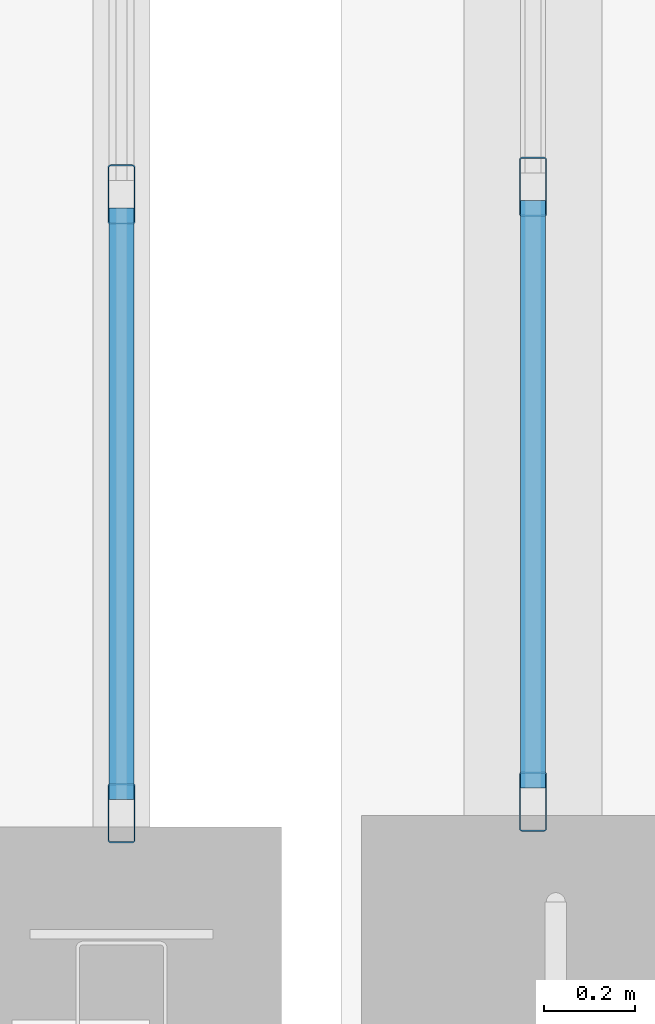
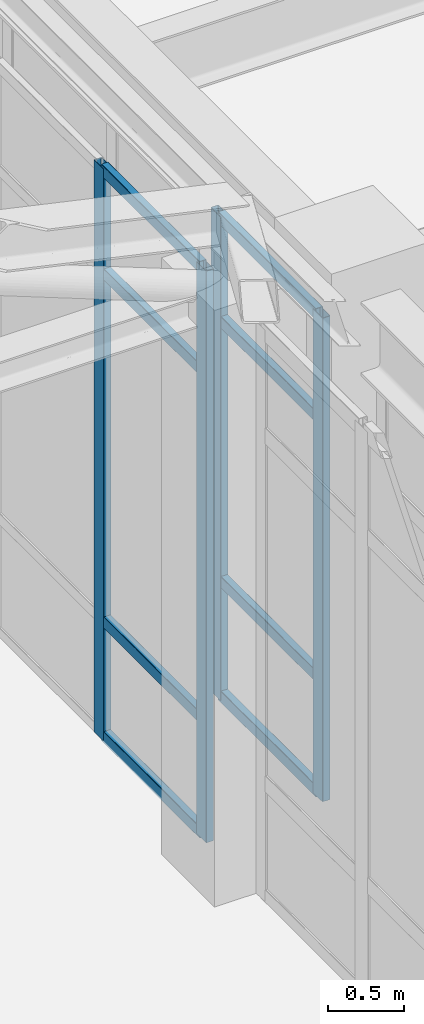
# One storey, part 47 of 139: 12 members, 2 elements without a shape of their own.
"""IFC4 building model written with IfcOpenShell, lengths in metres."""

from ifc_helpers import new_model, si_unit, direction, frame, origin, origin_2d, place, context, subcontext, project, spatial, hollow_rectangle, extrude, material, material_profile, profile_set, type_object, element, aggregate, save


model = new_model("IFC4")

# Units and contexts
model_context = context("Model", 3, precision=1e-05, world=origin(), true_north=direction((0.0, 1.0)))
body_context = subcontext(model_context, "Body", "Model", "MODEL_VIEW")
ifc_project = project(units=[si_unit("LENGTHUNIT", "METRE"), si_unit("AREAUNIT", "SQUARE_METRE"), si_unit("VOLUMEUNIT", "CUBIC_METRE"), si_unit("PLANEANGLEUNIT", "RADIAN"), si_unit("MASSUNIT", "GRAM", prefix="KILO")], contexts=[model_context])

# Site, building, storey
site_placement = place(None, origin())
site = spatial("IfcSite", under=ifc_project, at=site_placement, CompositionType="ELEMENT")
building_placement = place(site_placement, origin())
building = spatial("IfcBuilding", under=site, at=building_placement, Name="Canglan Escarpment Cableway Terminal", CompositionType="ELEMENT")
storey_placement = place(building_placement, frame((0.0, 0.0, 14.39990234375)))
storey = spatial("IfcBuildingStorey", under=building, at=storey_placement, Name="L03", CompositionType="ELEMENT", Elevation=14.39990234375)

# Curtain wall, members
ifc_material_1 = material(Name="Anodized bronze aluminium and Low-E double glazing", Category="aluminium")
curtain_wall_type_1 = type_object("IfcCurtainWallType", Name="CW-BAY-8300x4600", PredefinedType="NOTDEFINED", material=ifc_material_1)
curtain_wall_1_placement = place(storey_placement, origin())
curtain_wall_1 = element("IfcCurtainWall", 1, at=curtain_wall_1_placement, inside=storey, type_object=curtain_wall_type_1, Name="Classical bay-between-piers glazed curtain wall CW-45", PredefinedType="NOTDEFINED")
ifc_material_2 = material(Name="Thermally broken anodized aluminium 6063-T6", Category="aluminium")
ifc_material_profile_1 = material_profile(ifc_material_2, hollow_rectangle(XDim=0.06005859375, YDim=0.1298828125, WallThickness=0.0029296875, InnerFilletRadius=0.0029296875, OuterFilletRadius=0.006103515625, at=origin_2d()), Name="ALU-MULL 60x130x3")
ifc_profile_set_1 = profile_set([ifc_material_profile_1], Name="Thermally broken anodized aluminium 6063-T6")
member_type_1 = type_object("IfcMemberType", Name="CWM-01", PredefinedType="MULLION", material=ifc_profile_set_1)
member_1_placement = place(storey_placement, frame((136.699951171875, 61.3798828125, 0.0), z_axis=(0.0, 0.0, 1.0), x_axis=(-1.0, 0.0, 0.0)))
member_1 = element("IfcMember", 2, at=member_1_placement, type_object=member_type_1, Name="CW-45 mullion 1", PredefinedType="MULLION", context=body_context, shape_type="SweptSolid", body=[
    extrude(hollow_rectangle(XDim=0.06005859375, YDim=0.1298828125, WallThickness=0.0029296875, InnerFilletRadius=0.0029296875, OuterFilletRadius=0.006103515625, at=origin_2d()), origin(), (0.0, 0.0, 1.0), 4.60009765625),
])
member_2_placement = place(storey_placement, frame((136.699951171875, 62.7333984375, 0.0), z_axis=(0.0, 0.0, 1.0), x_axis=(-1.0, 0.0, 0.0)))
member_2 = element("IfcMember", 3, at=member_2_placement, type_object=member_type_1, Name="CW-45 mullion 2", PredefinedType="MULLION", context=body_context, shape_type="SweptSolid", body=[
    extrude(hollow_rectangle(XDim=0.06005859375, YDim=0.1298828125, WallThickness=0.0029296875, InnerFilletRadius=0.0029296875, OuterFilletRadius=0.006103515625, at=origin_2d()), origin(), (0.0, 0.0, 1.0), 4.60009765625),
])

curtain_wall_type_2 = type_object("IfcCurtainWallType", Name="CW-BAY-8250x3900", PredefinedType="NOTDEFINED", material=ifc_material_1)
curtain_wall_2_placement = place(storey_placement, origin())
curtain_wall_2 = element("IfcCurtainWall", 4, at=curtain_wall_2_placement, inside=storey, type_object=curtain_wall_type_2, Name="Classical bay-between-piers glazed curtain wall CW-62", PredefinedType="NOTDEFINED")
member_3_placement = place(storey_placement, frame((137.60009765625, 62.75, 0.0), z_axis=(0.0, 0.0, 1.0), x_axis=(1.0, 0.0, 0.0)))
member_3 = element("IfcMember", 5, at=member_3_placement, type_object=member_type_1, Name="CW-62 mullion 6", PredefinedType="MULLION", context=body_context, shape_type="SweptSolid", body=[
    extrude(hollow_rectangle(XDim=0.06005859375, YDim=0.1298828125, WallThickness=0.0029296875, InnerFilletRadius=0.0029296875, OuterFilletRadius=0.006103515625, at=origin_2d()), origin(), (0.0, 0.0, 1.0), 3.89111328125),
])
member_4_placement = place(storey_placement, frame((137.60009765625, 61.405029296875, 0.0), z_axis=(0.0, 0.0, 1.0), x_axis=(1.0, 0.0, 0.0)))
member_4 = element("IfcMember", 6, at=member_4_placement, type_object=member_type_1, Name="CW-62 mullion 7", PredefinedType="MULLION", context=body_context, shape_type="SweptSolid", body=[
    extrude(hollow_rectangle(XDim=0.06005859375, YDim=0.1298828125, WallThickness=0.0029296875, InnerFilletRadius=0.0029296875, OuterFilletRadius=0.006103515625, at=origin_2d()), origin(), (0.0, 0.0, 1.0), 3.89111328125),
])

# Member
ifc_material_profile_2 = material_profile(ifc_material_2, hollow_rectangle(XDim=0.054931640625, YDim=0.094970703125, WallThickness=0.0029296875, InnerFilletRadius=0.0029296875, OuterFilletRadius=0.006103515625, at=origin_2d()), Name="ALU-TRAN 55x95x3")
ifc_profile_set_2 = profile_set([ifc_material_profile_2], Name="Thermally broken anodized aluminium 6063-T6")
member_type_2 = type_object("IfcMemberType", Name="CWT-01", PredefinedType="USERDEFINED", material=ifc_profile_set_2)
member_5_placement = place(storey_placement, frame((136.699951171875, 61.409912109375, 0.027587890625), z_axis=(0.0, 1.0, 0.0), x_axis=(-1.0, 0.0, 0.0)))
member_5 = element("IfcMember", 7, at=member_5_placement, type_object=member_type_2, Name="CW-45 transom 1.1", ObjectType="TRANSOM", PredefinedType="USERDEFINED", context=body_context, shape_type="SweptSolid", body=[
    extrude(hollow_rectangle(XDim=0.054931640625, YDim=0.094970703125, WallThickness=0.0029296875, InnerFilletRadius=0.0029296875, OuterFilletRadius=0.006103515625, at=origin_2d()), origin(), (0.0, 0.0, 1.0), 1.29345703125),
])

member_6_placement = place(storey_placement, frame((136.699951171875, 61.409912109375, 0.9501953125), z_axis=(0.0, 1.0, 0.0), x_axis=(-1.0, 0.0, 0.0)))
member_6 = element("IfcMember", 8, at=member_6_placement, type_object=member_type_2, Name="CW-45 transom 1.2", ObjectType="TRANSOM", PredefinedType="USERDEFINED", context=body_context, shape_type="SweptSolid", body=[
    extrude(hollow_rectangle(XDim=0.054931640625, YDim=0.094970703125, WallThickness=0.0029296875, InnerFilletRadius=0.0029296875, OuterFilletRadius=0.006103515625, at=origin_2d()), origin(), (0.0, 0.0, 1.0), 1.29345703125),
])

member_7_placement = place(storey_placement, frame((136.699951171875, 61.409912109375, 3.75), z_axis=(0.0, 1.0, 0.0), x_axis=(-1.0, 0.0, 0.0)))
member_7 = element("IfcMember", 9, at=member_7_placement, type_object=member_type_2, Name="CW-45 transom 1.3", ObjectType="TRANSOM", PredefinedType="USERDEFINED", context=body_context, shape_type="SweptSolid", body=[
    extrude(hollow_rectangle(XDim=0.054931640625, YDim=0.094970703125, WallThickness=0.0029296875, InnerFilletRadius=0.0029296875, OuterFilletRadius=0.006103515625, at=origin_2d()), origin(), (0.0, 0.0, 1.0), 1.29345703125),
])

member_8_placement = place(storey_placement, frame((136.699951171875, 61.409912109375, 4.572509765625), z_axis=(0.0, 1.0, 0.0), x_axis=(-1.0, 0.0, 0.0)))
member_8 = element("IfcMember", 10, at=member_8_placement, type_object=member_type_2, Name="CW-45 transom 1.4", ObjectType="TRANSOM", PredefinedType="USERDEFINED", context=body_context, shape_type="SweptSolid", body=[
    extrude(hollow_rectangle(XDim=0.054931640625, YDim=0.094970703125, WallThickness=0.0029296875, InnerFilletRadius=0.0029296875, OuterFilletRadius=0.006103515625, at=origin_2d()), origin(), (0.0, 0.0, 1.0), 1.29345703125),
])

aggregate(curtain_wall_1, [member_1, member_2, member_5, member_6, member_7, member_8])

member_9_placement = place(storey_placement, frame((137.60009765625, 62.719970703125, 0.027587890625), z_axis=(0.0, -1.0, 0.0), x_axis=(1.0, 0.0, 0.0)))
member_9 = element("IfcMember", 11, at=member_9_placement, type_object=member_type_2, Name="CW-62 transom 6.1", ObjectType="TRANSOM", PredefinedType="USERDEFINED", context=body_context, shape_type="SweptSolid", body=[
    extrude(hollow_rectangle(XDim=0.054931640625, YDim=0.094970703125, WallThickness=0.0029296875, InnerFilletRadius=0.0029296875, OuterFilletRadius=0.006103515625, at=origin_2d()), origin(), (0.0, 0.0, 1.0), 1.284912109375),
])

member_10_placement = place(storey_placement, frame((137.60009765625, 62.719970703125, 0.9501953125), z_axis=(0.0, -1.0, 0.0), x_axis=(1.0, 0.0, 0.0)))
member_10 = element("IfcMember", 12, at=member_10_placement, type_object=member_type_2, Name="CW-62 transom 6.2", ObjectType="TRANSOM", PredefinedType="USERDEFINED", context=body_context, shape_type="SweptSolid", body=[
    extrude(hollow_rectangle(XDim=0.054931640625, YDim=0.094970703125, WallThickness=0.0029296875, InnerFilletRadius=0.0029296875, OuterFilletRadius=0.006103515625, at=origin_2d()), origin(), (0.0, 0.0, 1.0), 1.284912109375),
])

member_11_placement = place(storey_placement, frame((137.60009765625, 62.719970703125, 3.041015625), z_axis=(0.0, -1.0, 0.0), x_axis=(1.0, 0.0, 0.0)))
member_11 = element("IfcMember", 13, at=member_11_placement, type_object=member_type_2, Name="CW-62 transom 6.3", ObjectType="TRANSOM", PredefinedType="USERDEFINED", context=body_context, shape_type="SweptSolid", body=[
    extrude(hollow_rectangle(XDim=0.054931640625, YDim=0.094970703125, WallThickness=0.0029296875, InnerFilletRadius=0.0029296875, OuterFilletRadius=0.006103515625, at=origin_2d()), origin(), (0.0, 0.0, 1.0), 1.284912109375),
])

member_12_placement = place(storey_placement, frame((137.60009765625, 62.719970703125, 3.863525390625), z_axis=(0.0, -1.0, 0.0), x_axis=(1.0, 0.0, 0.0)))
member_12 = element("IfcMember", 14, at=member_12_placement, type_object=member_type_2, Name="CW-62 transom 6.4", ObjectType="TRANSOM", PredefinedType="USERDEFINED", context=body_context, shape_type="SweptSolid", body=[
    extrude(hollow_rectangle(XDim=0.054931640625, YDim=0.094970703125, WallThickness=0.0029296875, InnerFilletRadius=0.0029296875, OuterFilletRadius=0.006103515625, at=origin_2d()), origin(), (0.0, 0.0, 1.0), 1.284912109375),
])

aggregate(curtain_wall_2, [member_3, member_4, member_9, member_10, member_11, member_12])

save(model, "model.ifc")
